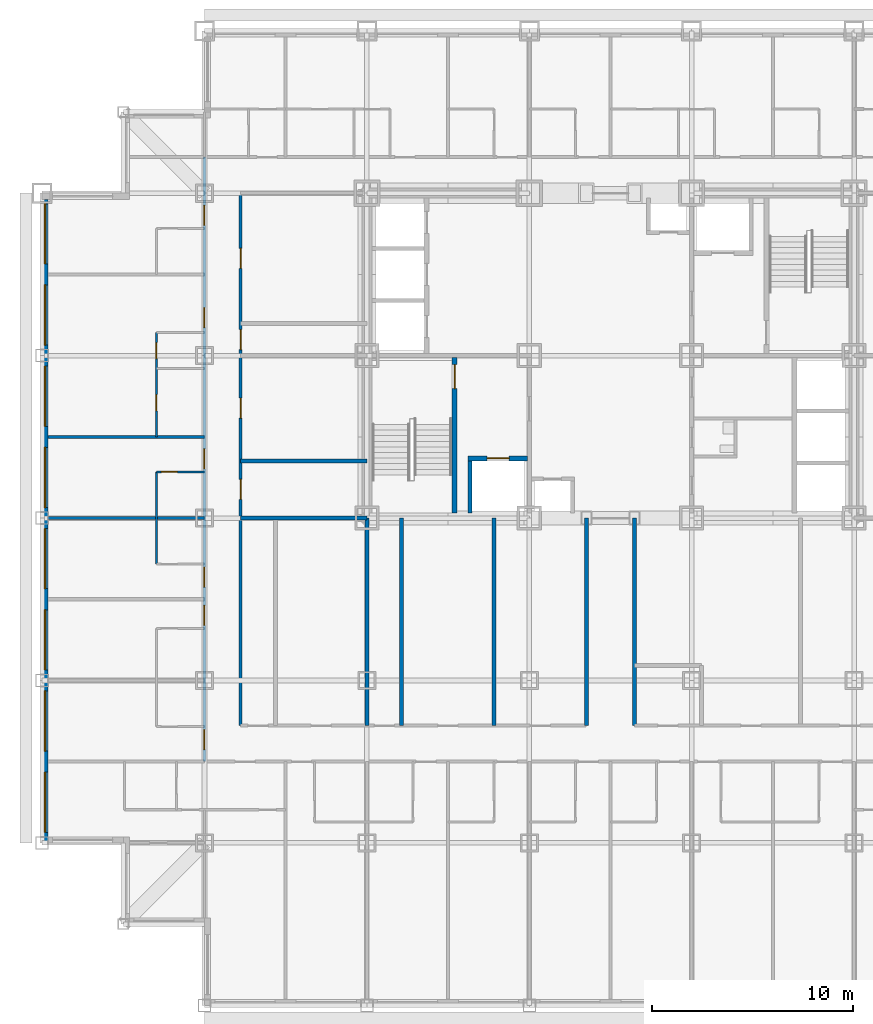
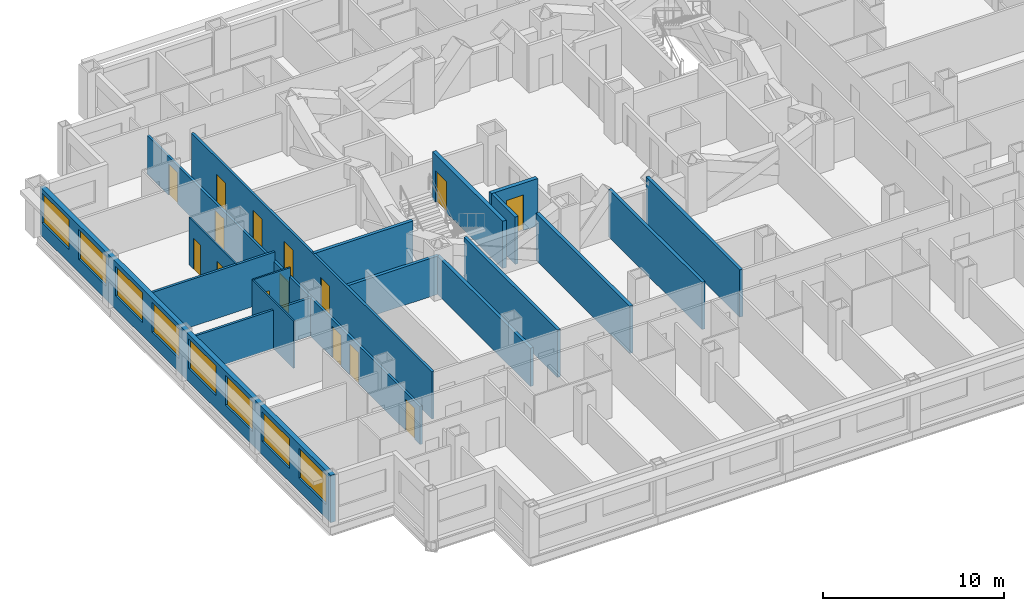
# One storey, part 5 of 13: 18 walls, 15 doors, 8 windows, 23 openings.
"""IFC4 building model written with IfcOpenShell, lengths in metres."""

from ifc_helpers import new_model, si_unit, direction, frame, frame_2d, origin, place, context, subcontext, project, spatial, rectangle, extrude, material, layer, layer_set, type_object, element, fill, save


model = new_model("IFC4")

# Units and contexts
model_context = context("Model", 3, precision=1e-05, world=origin(), true_north=direction((0.0, 1.0)))
body_context = subcontext(model_context, "Body", "Model", "MODEL_VIEW")
ifc_project = project(units=[si_unit("LENGTHUNIT", "METRE"), si_unit("AREAUNIT", "SQUARE_METRE"), si_unit("VOLUMEUNIT", "CUBIC_METRE"), si_unit("PLANEANGLEUNIT", "RADIAN"), si_unit("MASSUNIT", "GRAM", prefix="KILO")], contexts=[model_context])

# Site, building, storey
site_placement = place(None, origin())
site = spatial("IfcSite", under=ifc_project, at=site_placement, CompositionType="ELEMENT")
building_placement = place(site_placement, origin())
building = spatial("IfcBuilding", under=site, at=building_placement, Name="Kopane Lantern Tower", CompositionType="ELEMENT")
storey_placement = place(building_placement, frame((0.0, 0.0, 63.60009765625)))
storey = spatial("IfcBuildingStorey", under=building, at=storey_placement, Name="L15", CompositionType="ELEMENT", Elevation=63.60009765625)

# Wall
ifc_material_1 = material(Name="Moisture-resistant board on steel studs", Category="steel")
ifc_layer_1 = layer(ifc_material_1, 0.10009765625)
ifc_layer_set_1 = layer_set([ifc_layer_1], Name="BATHROOM WALL 100")
wall_type_1 = type_object("IfcWallType", Name="BATHROOM WALL 100", PredefinedType="PARTITIONING", material=ifc_layer_set_1)
wall_1_placement = place(storey_placement, frame((5.699951171875, 22.0, 0.0), z_axis=(0.0, 0.0, 1.0), x_axis=(0.0, 1.0, 0.0)))
element("IfcWall", 1, at=wall_1_placement, inside=storey, type_object=wall_type_1, Name="Bathroom Wall 100 L15", PredefinedType="PARTITIONING", context=body_context, shape_type="SweptSolid", body=[
    extrude(rectangle(XDim=4.60009765625, YDim=0.10009765625, at=frame_2d((2.300048828125, 0.0))), origin(), (0.0, 0.0, 1.0), 3.18994140625),
])

# Wall, opening, door
wall_2_placement = place(storey_placement, frame((8.10009765625, 26.60009765625, 0.0), z_axis=(0.0, 0.0, 1.0), x_axis=(-1.0, 0.0, 0.0)))
wall_2 = element("IfcWall", 2, at=wall_2_placement, inside=storey, type_object=wall_type_1, Name="Bathroom Wall 100 L15", PredefinedType="PARTITIONING", context=body_context, shape_type="SweptSolid", body=[
    extrude(rectangle(XDim=2.400146484375, YDim=0.10009765625, at=frame_2d((1.2001953125, 0.0))), origin(), (0.0, 0.0, 1.0), 3.18994140625),
])
opening_1_placement = place(wall_2_placement, frame((1.35009765625, 0.0, 0.0)))
opening_1 = element("IfcOpeningElement", 3, at=opening_1_placement, cuts=wall_2, Name="Opening L15-047", PredefinedType="OPENING", context=body_context, shape_type="SweptSolid", body=[
    extrude(rectangle(XDim=0.800048828125, YDim=2.10009765625, at=frame_2d((0.39990234375, 1.050048828125))), frame((0.0, 0.06005859375, 0.0), z_axis=(0.0, -1.0, 0.0), x_axis=(1.0, 0.0, 0.0)), (0.0, 0.0, 1.0), 0.1201171875),
])
ifc_material_2 = material(Name="Timber door set", Category="wood")
door_type_1 = type_object("IfcDoorType", Name="DOOR D2 800x2100", OperationType="SINGLE_SWING_LEFT", PredefinedType="DOOR", material=ifc_material_2)
door_1_placement = place(opening_1_placement, origin())
door_1 = element("IfcDoor", 4, at=door_1_placement, inside=storey, type_object=door_type_1, Name="Door L15-047", OperationType="SINGLE_SWING_RIGHT", OverallHeight=2.10009765625, OverallWidth=0.800048828125, PredefinedType="DOOR", context=body_context, shape_type="SweptSolid", body=[
    extrude(rectangle(XDim=0.800048828125, YDim=2.10009765625, at=frame_2d((0.39990234375, 1.050048828125))), frame((0.0, 0.02490234375, 0.0), z_axis=(0.0, -1.0, 0.0), x_axis=(1.0, 0.0, 0.0)), (0.0, 0.0, 1.0), 0.050048828125),
])
fill(opening_1, door_1)

# Wall, openings, doors
wall_3_placement = place(storey_placement, frame((5.699951171875, 28.35009765625, 0.0), z_axis=(0.0, 0.0, 1.0), x_axis=(0.0, 1.0, 0.0)))
wall_3 = element("IfcWall", 5, at=wall_3_placement, inside=storey, type_object=wall_type_1, Name="Bathroom Wall 100 L15", PredefinedType="PARTITIONING", context=body_context, shape_type="SweptSolid", body=[
    extrude(rectangle(XDim=5.199951171875, YDim=0.10009765625, at=frame_2d((2.60009765625, 0.0))), origin(), (0.0, 0.0, 1.0), 3.18994140625),
])
opening_2_placement = place(wall_3_placement, frame((1.300048828125, 0.0, 0.0)))
opening_2 = element("IfcOpeningElement", 6, at=opening_2_placement, cuts=wall_3, Name="Opening L15-049", PredefinedType="OPENING", context=body_context, shape_type="SweptSolid", body=[
    extrude(rectangle(XDim=0.800048828125, YDim=2.10009765625, at=frame_2d((0.39990234375, 1.050048828125))), frame((0.0, 0.06005859375, 0.0), z_axis=(0.0, -1.0, 0.0), x_axis=(1.0, 0.0, 0.0)), (0.0, 0.0, 1.0), 0.1201171875),
])
opening_3_placement = place(wall_3_placement, frame((3.89990234375, 0.0, 0.0)))
opening_3 = element("IfcOpeningElement", 7, at=opening_3_placement, cuts=wall_3, Name="Opening L15-050", PredefinedType="OPENING", context=body_context, shape_type="SweptSolid", body=[
    extrude(rectangle(XDim=0.800048828125, YDim=2.10009765625, at=frame_2d((0.39990234375, 1.050048828125))), frame((0.0, 0.06005859375, 0.0), z_axis=(0.0, -1.0, 0.0), x_axis=(1.0, 0.0, 0.0)), (0.0, 0.0, 1.0), 0.1201171875),
])
door_2_placement = place(opening_2_placement, origin())
door_2 = element("IfcDoor", 8, at=door_2_placement, inside=storey, type_object=door_type_1, Name="Door L15-049", OperationType="SINGLE_SWING_LEFT", OverallHeight=2.10009765625, OverallWidth=0.800048828125, PredefinedType="DOOR", context=body_context, shape_type="SweptSolid", body=[
    extrude(rectangle(XDim=0.800048828125, YDim=2.10009765625, at=frame_2d((0.39990234375, 1.050048828125))), frame((0.0, 0.02490234375, 0.0), z_axis=(0.0, -1.0, 0.0), x_axis=(1.0, 0.0, 0.0)), (0.0, 0.0, 1.0), 0.050048828125),
])
fill(opening_2, door_2)
door_3_placement = place(opening_3_placement, origin())
door_3 = element("IfcDoor", 9, at=door_3_placement, inside=storey, type_object=door_type_1, Name="Door L15-050", OperationType="SINGLE_SWING_LEFT", OverallHeight=2.10009765625, OverallWidth=0.800048828125, PredefinedType="DOOR", context=body_context, shape_type="SweptSolid", body=[
    extrude(rectangle(XDim=0.800048828125, YDim=2.10009765625, at=frame_2d((0.39990234375, 1.050048828125))), frame((0.0, 0.02490234375, 0.0), z_axis=(0.0, -1.0, 0.0), x_axis=(1.0, 0.0, 0.0)), (0.0, 0.0, 1.0), 0.050048828125),
])
fill(opening_3, door_3)

# Wall, opening, door
ifc_material_3 = material(Name="Gypsum shaft wall EI 120", Category="gypsum")
ifc_layer_2 = layer(ifc_material_3, 0.25)
ifc_layer_set_2 = layer_set([ifc_layer_2], Name="CORE SHAFT WALL 250 EI 120")
wall_type_2 = type_object("IfcWallType", Name="CORE SHAFT WALL 250 EI 120", PredefinedType="SOLIDWALL", material=ifc_layer_set_2)
wall_4_placement = place(storey_placement, frame((20.574951171875, 24.550048828125, 0.0), z_axis=(0.0, 0.0, 1.0), x_axis=(0.0, 1.0, 0.0)))
wall_4 = element("IfcWall", 10, at=wall_4_placement, inside=storey, type_object=wall_type_2, Name="Core shaft wall L15 XST1", PredefinedType="SOLIDWALL", context=body_context, shape_type="SweptSolid", body=[
    extrude(rectangle(XDim=7.75, YDim=0.25, at=frame_2d((3.875, 0.0))), origin(), (0.0, 0.0, 1.0), 3.18994140625),
])
opening_4_placement = place(wall_4_placement, frame((6.199951171875, 0.0, 0.0)))
opening_4 = element("IfcOpeningElement", 11, at=opening_4_placement, cuts=wall_4, Name="Opening 15.SD1", PredefinedType="OPENING", context=body_context, shape_type="SweptSolid", body=[
    extrude(rectangle(XDim=1.199951171875, YDim=2.10009765625, at=frame_2d((0.60009765625, 1.050048828125))), frame((0.0, 0.135009765625, 0.0), z_axis=(0.0, -1.0, 0.0), x_axis=(1.0, 0.0, 0.0)), (0.0, 0.0, 1.0), 0.27001953125),
])
ifc_material_4 = material(Name="Steel door set", Category="steel")
door_type_2 = type_object("IfcDoorType", Name="STAIR DOOR 1200x2100 FD60S", OperationType="SINGLE_SWING_LEFT", PredefinedType="DOOR", material=ifc_material_4)
door_4_placement = place(opening_4_placement, origin())
door_4 = element("IfcDoor", 12, at=door_4_placement, inside=storey, type_object=door_type_2, Name="Stair door ST1 L15", OperationType="SINGLE_SWING_LEFT", OverallHeight=2.10009765625, OverallWidth=1.199951171875, PredefinedType="DOOR", context=body_context, shape_type="SweptSolid", body=[
    extrude(rectangle(XDim=1.199951171875, YDim=2.10009765625, at=frame_2d((0.60009765625, 1.050048828125))), frame((0.0, 0.02490234375, 0.0), z_axis=(0.0, -1.0, 0.0), x_axis=(1.0, 0.0, 0.0)), (0.0, 0.0, 1.0), 0.050048828125),
])
fill(opening_4, door_4)

wall_5_placement = place(storey_placement, frame((21.25, 27.27490234375, 0.0), z_axis=(0.0, 0.0, 1.0), x_axis=(1.0, 0.0, 0.0)))
wall_5 = element("IfcWall", 13, at=wall_5_placement, inside=storey, type_object=wall_type_2, Name="Core shaft wall L15 YLF1", PredefinedType="SOLIDWALL", context=body_context, shape_type="SweptSolid", body=[
    extrude(rectangle(XDim=2.949951171875, YDim=0.25, at=frame_2d((1.47509765625, 0.0))), origin(), (0.0, 0.0, 1.0), 3.18994140625),
])
opening_5_placement = place(wall_5_placement, frame((0.949951171875, 0.0, 0.0)))
opening_5 = element("IfcOpeningElement", 14, at=opening_5_placement, cuts=wall_5, Name="Opening 15.LD-LF1", PredefinedType="OPENING", context=body_context, shape_type="SweptSolid", body=[
    extrude(rectangle(XDim=1.10009765625, YDim=2.39990234375, at=frame_2d((0.550048828125, 1.199951171875))), frame((0.0, 0.135009765625, 0.0), z_axis=(0.0, -1.0, 0.0), x_axis=(1.0, 0.0, 0.0)), (0.0, 0.0, 1.0), 0.27001953125),
])
ifc_material_5 = material(Name="Steel door set", Category="steel")
door_type_3 = type_object("IfcDoorType", Name="LIFT LANDING DOOR 1100x2400 FD60", OperationType="DOUBLE_DOOR_SLIDING", PredefinedType="DOOR", material=ifc_material_5)
door_5_placement = place(opening_5_placement, origin())
door_5 = element("IfcDoor", 15, at=door_5_placement, inside=storey, type_object=door_type_3, Name="Landing door LF1 L15", OperationType="DOUBLE_DOOR_SLIDING", OverallHeight=2.39990234375, OverallWidth=1.10009765625, PredefinedType="DOOR", context=body_context, shape_type="SweptSolid", body=[
    extrude(rectangle(XDim=1.10009765625, YDim=2.39990234375, at=frame_2d((0.550048828125, 1.199951171875))), frame((0.0, 0.02490234375, 0.0), z_axis=(0.0, -1.0, 0.0), x_axis=(1.0, 0.0, 0.0)), (0.0, 0.0, 1.0), 0.050048828125),
])
fill(opening_5, door_5)

# Wall, openings, doors
ifc_material_6 = material(Name="Gypsum board on steel studs", Category="steel")
ifc_layer_3 = layer(ifc_material_6, 0.14990234375)
ifc_layer_set_3 = layer_set([ifc_layer_3], Name="CORRIDOR WALL 150 EI 60")
wall_type_3 = type_object("IfcWallType", Name="CORRIDOR WALL 150 EI 60", PredefinedType="PARTITIONING", material=ifc_layer_set_3)
wall_6_placement = place(storey_placement, frame((8.10009765625, 12.14990234375, 0.0), z_axis=(0.0, 0.0, 1.0), x_axis=(0.0, 1.0, 0.0)))
wall_6 = element("IfcWall", 16, at=wall_6_placement, inside=storey, type_object=wall_type_3, Name="Corridor Wall 150 Ei 60 L15", PredefinedType="PARTITIONING", context=body_context, shape_type="SweptSolid", body=[
    extrude(rectangle(XDim=30.150146484375, YDim=0.14990234375, at=frame_2d((15.0751953125, 0.0))), origin(), (0.0, 0.0, 1.0), 2.57763671875),
])
opening_6_placement = place(wall_6_placement, frame((0.60009765625, 0.0, 0.0)))
opening_6 = element("IfcOpeningElement", 17, at=opening_6_placement, cuts=wall_6, Name="Opening L15-042", PredefinedType="OPENING", context=body_context, shape_type="SweptSolid", body=[
    extrude(rectangle(XDim=1.0, YDim=2.10009765625, at=frame_2d((0.5, 1.050048828125))), frame((0.0, 0.0849609375, 0.0), z_axis=(0.0, -1.0, 0.0), x_axis=(1.0, 0.0, 0.0)), (0.0, 0.0, 1.0), 0.169921875),
])
opening_7_placement = place(wall_6_placement, frame((6.800048828125, 0.0, 0.0)))
opening_7 = element("IfcOpeningElement", 18, at=opening_7_placement, cuts=wall_6, Name="Opening L15-044", PredefinedType="OPENING", context=body_context, shape_type="SweptSolid", body=[
    extrude(rectangle(XDim=1.0, YDim=2.10009765625, at=frame_2d((0.5, 1.050048828125))), frame((0.0, 0.0849609375, 0.0), z_axis=(0.0, -1.0, 0.0), x_axis=(1.0, 0.0, 0.0)), (0.0, 0.0, 1.0), 0.169921875),
])
opening_8_placement = place(wall_6_placement, frame((8.699951171875, 0.0, 0.0)))
opening_8 = element("IfcOpeningElement", 19, at=opening_8_placement, cuts=wall_6, Name="Opening L15-046", PredefinedType="OPENING", context=body_context, shape_type="SweptSolid", body=[
    extrude(rectangle(XDim=1.0, YDim=2.10009765625, at=frame_2d((0.5, 1.050048828125))), frame((0.0, 0.0849609375, 0.0), z_axis=(0.0, -1.0, 0.0), x_axis=(1.0, 0.0, 0.0)), (0.0, 0.0, 1.0), 0.169921875),
])
opening_9_placement = place(wall_6_placement, frame((14.60009765625, 0.0, 0.0)))
opening_9 = element("IfcOpeningElement", 20, at=opening_9_placement, cuts=wall_6, Name="Opening L15-048", PredefinedType="OPENING", context=body_context, shape_type="SweptSolid", body=[
    extrude(rectangle(XDim=1.0, YDim=2.10009765625, at=frame_2d((0.5, 1.050048828125))), frame((0.0, 0.0849609375, 0.0), z_axis=(0.0, -1.0, 0.0), x_axis=(1.0, 0.0, 0.0)), (0.0, 0.0, 1.0), 0.169921875),
])
opening_10_placement = place(wall_6_placement, frame((21.64990234375, 0.0, 0.0)))
opening_10 = element("IfcOpeningElement", 21, at=opening_10_placement, cuts=wall_6, Name="Opening L15-051", PredefinedType="OPENING", context=body_context, shape_type="SweptSolid", body=[
    extrude(rectangle(XDim=1.0, YDim=2.10009765625, at=frame_2d((0.5, 1.050048828125))), frame((0.0, 0.0849609375, 0.0), z_axis=(0.0, -1.0, 0.0), x_axis=(1.0, 0.0, 0.0)), (0.0, 0.0, 1.0), 0.169921875),
])
opening_11_placement = place(wall_6_placement, frame((26.75, 0.0, 0.0)))
opening_11 = element("IfcOpeningElement", 22, at=opening_11_placement, cuts=wall_6, Name="Opening L15-053", PredefinedType="OPENING", context=body_context, shape_type="SweptSolid", body=[
    extrude(rectangle(XDim=1.0, YDim=2.10009765625, at=frame_2d((0.5, 1.050048828125))), frame((0.0, 0.0849609375, 0.0), z_axis=(0.0, -1.0, 0.0), x_axis=(1.0, 0.0, 0.0)), (0.0, 0.0, 1.0), 0.169921875),
])
ifc_material_7 = material(Name="Steel door set", Category="steel")
door_type_4 = type_object("IfcDoorType", Name="DOOR D1 1000x2100 FD30S", OperationType="SINGLE_SWING_LEFT", PredefinedType="DOOR", material=ifc_material_7)
door_6_placement = place(opening_6_placement, origin())
door_6 = element("IfcDoor", 23, at=door_6_placement, inside=storey, type_object=door_type_4, Name="Door L15-042", OperationType="SINGLE_SWING_RIGHT", OverallHeight=2.10009765625, OverallWidth=1.0, PredefinedType="DOOR", context=body_context, shape_type="SweptSolid", body=[
    extrude(rectangle(XDim=1.0, YDim=2.10009765625, at=frame_2d((0.5, 1.050048828125))), frame((0.0, 0.02490234375, 0.0), z_axis=(0.0, -1.0, 0.0), x_axis=(1.0, 0.0, 0.0)), (0.0, 0.0, 1.0), 0.050048828125),
])
fill(opening_6, door_6)
door_7_placement = place(opening_7_placement, origin())
door_7 = element("IfcDoor", 24, at=door_7_placement, inside=storey, type_object=door_type_4, Name="Door L15-044", OperationType="SINGLE_SWING_LEFT", OverallHeight=2.10009765625, OverallWidth=1.0, PredefinedType="DOOR", context=body_context, shape_type="SweptSolid", body=[
    extrude(rectangle(XDim=1.0, YDim=2.10009765625, at=frame_2d((0.5, 1.050048828125))), frame((0.0, 0.02490234375, 0.0), z_axis=(0.0, -1.0, 0.0), x_axis=(1.0, 0.0, 0.0)), (0.0, 0.0, 1.0), 0.050048828125),
])
fill(opening_7, door_7)
door_8_placement = place(opening_8_placement, origin())
door_8 = element("IfcDoor", 25, at=door_8_placement, inside=storey, type_object=door_type_4, Name="Door L15-046", OperationType="SINGLE_SWING_RIGHT", OverallHeight=2.10009765625, OverallWidth=1.0, PredefinedType="DOOR", context=body_context, shape_type="SweptSolid", body=[
    extrude(rectangle(XDim=1.0, YDim=2.10009765625, at=frame_2d((0.5, 1.050048828125))), frame((0.0, 0.02490234375, 0.0), z_axis=(0.0, -1.0, 0.0), x_axis=(1.0, 0.0, 0.0)), (0.0, 0.0, 1.0), 0.050048828125),
])
fill(opening_8, door_8)
door_9_placement = place(opening_9_placement, origin())
door_9 = element("IfcDoor", 26, at=door_9_placement, inside=storey, type_object=door_type_4, Name="Door L15-048", OperationType="SINGLE_SWING_LEFT", OverallHeight=2.10009765625, OverallWidth=1.0, PredefinedType="DOOR", context=body_context, shape_type="SweptSolid", body=[
    extrude(rectangle(XDim=1.0, YDim=2.10009765625, at=frame_2d((0.5, 1.050048828125))), frame((0.0, 0.02490234375, 0.0), z_axis=(0.0, -1.0, 0.0), x_axis=(1.0, 0.0, 0.0)), (0.0, 0.0, 1.0), 0.050048828125),
])
fill(opening_9, door_9)
door_10_placement = place(opening_10_placement, origin())
door_10 = element("IfcDoor", 27, at=door_10_placement, inside=storey, type_object=door_type_4, Name="Door L15-051", OperationType="SINGLE_SWING_LEFT", OverallHeight=2.10009765625, OverallWidth=1.0, PredefinedType="DOOR", context=body_context, shape_type="SweptSolid", body=[
    extrude(rectangle(XDim=1.0, YDim=2.10009765625, at=frame_2d((0.5, 1.050048828125))), frame((0.0, 0.02490234375, 0.0), z_axis=(0.0, -1.0, 0.0), x_axis=(1.0, 0.0, 0.0)), (0.0, 0.0, 1.0), 0.050048828125),
])
fill(opening_10, door_10)
door_11_placement = place(opening_11_placement, origin())
door_11 = element("IfcDoor", 28, at=door_11_placement, inside=storey, type_object=door_type_4, Name="Door L15-053", OperationType="SINGLE_SWING_LEFT", OverallHeight=2.10009765625, OverallWidth=1.0, PredefinedType="DOOR", context=body_context, shape_type="SweptSolid", body=[
    extrude(rectangle(XDim=1.0, YDim=2.10009765625, at=frame_2d((0.5, 1.050048828125))), frame((0.0, 0.02490234375, 0.0), z_axis=(0.0, -1.0, 0.0), x_axis=(1.0, 0.0, 0.0)), (0.0, 0.0, 1.0), 0.050048828125),
])
fill(opening_11, door_11)

wall_7_placement = place(storey_placement, frame((9.89990234375, 40.5, 0.0), z_axis=(0.0, 0.0, 1.0), x_axis=(0.0, -1.0, 0.0)))
wall_7 = element("IfcWall", 29, at=wall_7_placement, inside=storey, type_object=wall_type_3, Name="Corridor Wall 150 Ei 60 L15", PredefinedType="PARTITIONING", context=body_context, shape_type="SweptSolid", body=[
    extrude(rectangle(XDim=26.550048828125, YDim=0.14990234375, at=frame_2d((13.27490234375, 0.0))), origin(), (0.0, 0.0, 1.0), 3.18994140625),
])
opening_12_placement = place(wall_7_placement, frame((14.271484375, 0.0, 0.0)))
opening_12 = element("IfcOpeningElement", 30, at=opening_12_placement, cuts=wall_7, Name="Opening L15-001", PredefinedType="OPENING", context=body_context, shape_type="SweptSolid", body=[
    extrude(rectangle(XDim=1.0, YDim=2.10009765625, at=frame_2d((0.5, 1.050048828125))), frame((0.0, 0.0849609375, 0.0), z_axis=(0.0, -1.0, 0.0), x_axis=(1.0, 0.0, 0.0)), (0.0, 0.0, 1.0), 0.169921875),
])
opening_13_placement = place(wall_7_placement, frame((10.221435546875, 0.0, 0.0)))
opening_13 = element("IfcOpeningElement", 31, at=opening_13_placement, cuts=wall_7, Name="Opening L15-002", PredefinedType="OPENING", context=body_context, shape_type="SweptSolid", body=[
    extrude(rectangle(XDim=1.0, YDim=2.10009765625, at=frame_2d((0.5, 1.050048828125))), frame((0.0, 0.0849609375, 0.0), z_axis=(0.0, -1.0, 0.0), x_axis=(1.0, 0.0, 0.0)), (0.0, 0.0, 1.0), 0.169921875),
])
opening_14_placement = place(wall_7_placement, frame((6.800048828125, 0.0, 0.0)))
opening_14 = element("IfcOpeningElement", 32, at=opening_14_placement, cuts=wall_7, Name="Opening L15-003", PredefinedType="OPENING", context=body_context, shape_type="SweptSolid", body=[
    extrude(rectangle(XDim=1.0, YDim=2.10009765625, at=frame_2d((0.5, 1.050048828125))), frame((0.0, 0.0849609375, 0.0), z_axis=(0.0, -1.0, 0.0), x_axis=(1.0, 0.0, 0.0)), (0.0, 0.0, 1.0), 0.169921875),
])
opening_15_placement = place(wall_7_placement, frame((2.75, 0.0, 0.0)))
opening_15 = element("IfcOpeningElement", 33, at=opening_15_placement, cuts=wall_7, Name="Opening L15-004", PredefinedType="OPENING", context=body_context, shape_type="SweptSolid", body=[
    extrude(rectangle(XDim=1.0, YDim=2.10009765625, at=frame_2d((0.5, 1.050048828125))), frame((0.0, 0.0849609375, 0.0), z_axis=(0.0, -1.0, 0.0), x_axis=(1.0, 0.0, 0.0)), (0.0, 0.0, 1.0), 0.169921875),
])
ifc_material_8 = material(Name="Steel door set", Category="steel")
door_type_5 = type_object("IfcDoorType", Name="DOOR D5 1000x2100 FD60", OperationType="SINGLE_SWING_LEFT", PredefinedType="DOOR", material=ifc_material_8)
door_12_placement = place(opening_12_placement, origin())
door_12 = element("IfcDoor", 34, at=door_12_placement, inside=storey, type_object=door_type_5, Name="Door L15-001", OperationType="SINGLE_SWING_RIGHT", OverallHeight=2.10009765625, OverallWidth=1.0, PredefinedType="DOOR", context=body_context, shape_type="SweptSolid", body=[
    extrude(rectangle(XDim=1.0, YDim=2.10009765625, at=frame_2d((0.5, 1.050048828125))), frame((0.0, 0.02490234375, 0.0), z_axis=(0.0, -1.0, 0.0), x_axis=(1.0, 0.0, 0.0)), (0.0, 0.0, 1.0), 0.050048828125),
])
fill(opening_12, door_12)
door_13_placement = place(opening_13_placement, origin())
door_13 = element("IfcDoor", 35, at=door_13_placement, inside=storey, type_object=door_type_5, Name="Door L15-002", OperationType="SINGLE_SWING_LEFT", OverallHeight=2.10009765625, OverallWidth=1.0, PredefinedType="DOOR", context=body_context, shape_type="SweptSolid", body=[
    extrude(rectangle(XDim=1.0, YDim=2.10009765625, at=frame_2d((0.5, 1.050048828125))), frame((0.0, 0.02490234375, 0.0), z_axis=(0.0, -1.0, 0.0), x_axis=(1.0, 0.0, 0.0)), (0.0, 0.0, 1.0), 0.050048828125),
])
fill(opening_13, door_13)
door_14_placement = place(opening_14_placement, origin())
door_14 = element("IfcDoor", 36, at=door_14_placement, inside=storey, type_object=door_type_5, Name="Door L15-003", OperationType="SINGLE_SWING_RIGHT", OverallHeight=2.10009765625, OverallWidth=1.0, PredefinedType="DOOR", context=body_context, shape_type="SweptSolid", body=[
    extrude(rectangle(XDim=1.0, YDim=2.10009765625, at=frame_2d((0.5, 1.050048828125))), frame((0.0, 0.02490234375, 0.0), z_axis=(0.0, -1.0, 0.0), x_axis=(1.0, 0.0, 0.0)), (0.0, 0.0, 1.0), 0.050048828125),
])
fill(opening_14, door_14)
door_15_placement = place(opening_15_placement, origin())
door_15 = element("IfcDoor", 37, at=door_15_placement, inside=storey, type_object=door_type_5, Name="Door L15-004", OperationType="SINGLE_SWING_LEFT", OverallHeight=2.10009765625, OverallWidth=1.0, PredefinedType="DOOR", context=body_context, shape_type="SweptSolid", body=[
    extrude(rectangle(XDim=1.0, YDim=2.10009765625, at=frame_2d((0.5, 1.050048828125))), frame((0.0, 0.02490234375, 0.0), z_axis=(0.0, -1.0, 0.0), x_axis=(1.0, 0.0, 0.0)), (0.0, 0.0, 1.0), 0.050048828125),
])
fill(opening_15, door_15)

# Walls
ifc_material_9 = material(Name="Gypsum board on steel studs", Category="steel")
ifc_layer_4 = layer(ifc_material_9, 0.14990234375)
ifc_layer_set_4 = layer_set([ifc_layer_4], Name="DEMISING WALL 150 EI 60")
wall_type_4 = type_object("IfcWallType", Name="DEMISING WALL 150 EI 60", PredefinedType="PARTITIONING", material=ifc_layer_set_4)
wall_8_placement = place(storey_placement, frame((8.10009765625, 24.300048828125, 0.0), z_axis=(0.0, 0.0, 1.0), x_axis=(-1.0, 0.0, 0.0)))
element("IfcWall", 38, at=wall_8_placement, inside=storey, type_object=wall_type_4, Name="Demising Wall 150 Ei 60 L15", PredefinedType="PARTITIONING", context=body_context, shape_type="SweptSolid", body=[
    extrude(rectangle(XDim=7.800048828125, YDim=0.14990234375, at=frame_2d((3.89990234375, 0.0))), origin(), (0.0, 0.0, 1.0), 2.57763671875),
])
wall_9_placement = place(storey_placement, frame((8.10009765625, 28.35009765625, 0.0), z_axis=(0.0, 0.0, 1.0), x_axis=(-1.0, 0.0, 0.0)))
element("IfcWall", 39, at=wall_9_placement, inside=storey, type_object=wall_type_4, Name="Demising Wall 150 Ei 60 L15", PredefinedType="PARTITIONING", context=body_context, shape_type="SweptSolid", body=[
    extrude(rectangle(XDim=7.800048828125, YDim=0.14990234375, at=frame_2d((3.89990234375, 0.0))), origin(), (0.0, 0.0, 1.0), 3.18994140625),
])

# Wall, openings, windows
ifc_material_10 = material(Name="Terracotta rainscreen on light steel framing", Category="masonry")
ifc_layer_5 = layer(ifc_material_10, 0.300048828125)
ifc_layer_set_5 = layer_set([ifc_layer_5], Name="EXTERNAL WALL EW1 300 TERRACOTTA")
wall_type_5 = type_object("IfcWallType", Name="EXTERNAL WALL EW1 300 TERRACOTTA", PredefinedType="SOLIDWALL", material=ifc_layer_set_5)
wall_10_placement = place(storey_placement, frame((0.14990234375, 40.199951171875, 0.0), z_axis=(0.0, 0.0, 1.0), x_axis=(0.0, -1.0, 0.0)))
wall_10 = element("IfcWall", 40, at=wall_10_placement, inside=storey, type_object=wall_type_5, Name="External wall W L15", PredefinedType="SOLIDWALL", context=body_context, shape_type="SweptSolid", body=[
    extrude(rectangle(XDim=32.099853515625, YDim=0.300048828125, at=frame_2d((16.0498046875, 0.0))), origin(), (0.0, 0.0, 1.0), 3.18994140625),
])
opening_16_placement = place(wall_10_placement, frame((0.22509765625, 0.0, 0.89990234375)))
opening_16 = element("IfcOpeningElement", 41, at=opening_16_placement, cuts=wall_10, Name="Opening WR300200", PredefinedType="OPENING", context=body_context, shape_type="SweptSolid", body=[
    extrude(rectangle(XDim=3.0, YDim=2.0, at=frame_2d((1.5, 1.0))), frame((0.0, 0.159912109375, 0.0), z_axis=(0.0, -1.0, 0.0), x_axis=(1.0, 0.0, 0.0)), (0.0, 0.0, 1.0), 0.320068359375),
])
opening_17_placement = place(wall_10_placement, frame((4.27490234375, 0.0, 0.89990234375)))
opening_17 = element("IfcOpeningElement", 42, at=opening_17_placement, cuts=wall_10, Name="Opening WR300200", PredefinedType="OPENING", context=body_context, shape_type="SweptSolid", body=[
    extrude(rectangle(XDim=3.0, YDim=2.0, at=frame_2d((1.5, 1.0))), frame((0.0, 0.159912109375, 0.0), z_axis=(0.0, -1.0, 0.0), x_axis=(1.0, 0.0, 0.0)), (0.0, 0.0, 1.0), 0.320068359375),
])
opening_18_placement = place(wall_10_placement, frame((8.324951171875, 0.0, 0.89990234375)))
opening_18 = element("IfcOpeningElement", 43, at=opening_18_placement, cuts=wall_10, Name="Opening WR300200", PredefinedType="OPENING", context=body_context, shape_type="SweptSolid", body=[
    extrude(rectangle(XDim=3.0, YDim=2.0, at=frame_2d((1.5, 1.0))), frame((0.0, 0.159912109375, 0.0), z_axis=(0.0, -1.0, 0.0), x_axis=(1.0, 0.0, 0.0)), (0.0, 0.0, 1.0), 0.320068359375),
])
opening_19_placement = place(wall_10_placement, frame((12.375, 0.0, 0.89990234375)))
opening_19 = element("IfcOpeningElement", 44, at=opening_19_placement, cuts=wall_10, Name="Opening WR300200", PredefinedType="OPENING", context=body_context, shape_type="SweptSolid", body=[
    extrude(rectangle(XDim=3.0, YDim=2.0, at=frame_2d((1.5, 1.0))), frame((0.0, 0.159912109375, 0.0), z_axis=(0.0, -1.0, 0.0), x_axis=(1.0, 0.0, 0.0)), (0.0, 0.0, 1.0), 0.320068359375),
])
opening_20_placement = place(wall_10_placement, frame((16.425048828125, 0.0, 0.89990234375)))
opening_20 = element("IfcOpeningElement", 45, at=opening_20_placement, cuts=wall_10, Name="Opening WR300200", PredefinedType="OPENING", context=body_context, shape_type="SweptSolid", body=[
    extrude(rectangle(XDim=3.0, YDim=2.0, at=frame_2d((1.5, 1.0))), frame((0.0, 0.159912109375, 0.0), z_axis=(0.0, -1.0, 0.0), x_axis=(1.0, 0.0, 0.0)), (0.0, 0.0, 1.0), 0.320068359375),
])
opening_21_placement = place(wall_10_placement, frame((20.47509765625, 0.0, 0.89990234375)))
opening_21 = element("IfcOpeningElement", 46, at=opening_21_placement, cuts=wall_10, Name="Opening WR300200", PredefinedType="OPENING", context=body_context, shape_type="SweptSolid", body=[
    extrude(rectangle(XDim=3.0, YDim=2.0, at=frame_2d((1.5, 1.0))), frame((0.0, 0.159912109375, 0.0), z_axis=(0.0, -1.0, 0.0), x_axis=(1.0, 0.0, 0.0)), (0.0, 0.0, 1.0), 0.320068359375),
])
opening_22_placement = place(wall_10_placement, frame((24.52490234375, 0.0, 0.89990234375)))
opening_22 = element("IfcOpeningElement", 47, at=opening_22_placement, cuts=wall_10, Name="Opening WR300200", PredefinedType="OPENING", context=body_context, shape_type="SweptSolid", body=[
    extrude(rectangle(XDim=3.0, YDim=2.0, at=frame_2d((1.5, 1.0))), frame((0.0, 0.159912109375, 0.0), z_axis=(0.0, -1.0, 0.0), x_axis=(1.0, 0.0, 0.0)), (0.0, 0.0, 1.0), 0.320068359375),
])
opening_23_placement = place(wall_10_placement, frame((28.574951171875, 0.0, 0.89990234375)))
opening_23 = element("IfcOpeningElement", 48, at=opening_23_placement, cuts=wall_10, Name="Opening WR300200", PredefinedType="OPENING", context=body_context, shape_type="SweptSolid", body=[
    extrude(rectangle(XDim=3.0, YDim=2.0, at=frame_2d((1.5, 1.0))), frame((0.0, 0.159912109375, 0.0), z_axis=(0.0, -1.0, 0.0), x_axis=(1.0, 0.0, 0.0)), (0.0, 0.0, 1.0), 0.320068359375),
])
ifc_material_11 = material(Name="Aluminium and clear glass", Category="aluminium")
window_type = type_object("IfcWindowType", Name="RIBBON WINDOW WR300200 3000x2000", PartitioningType="SINGLE_PANEL", PredefinedType="WINDOW", material=ifc_material_11)
window_1_placement = place(opening_16_placement, origin())
window_1 = element("IfcWindow", 49, at=window_1_placement, inside=storey, type_object=window_type, Name="Window W L15", OverallHeight=2.0, OverallWidth=3.0, PartitioningType="SINGLE_PANEL", PredefinedType="WINDOW", context=body_context, shape_type="SweptSolid", body=[
    extrude(rectangle(XDim=3.0, YDim=2.0, at=frame_2d((1.5, 1.0))), frame((0.0, 0.030029296875, 0.0), z_axis=(0.0, -1.0, 0.0), x_axis=(1.0, 0.0, 0.0)), (0.0, 0.0, 1.0), 0.06005859375),
])
fill(opening_16, window_1)
window_2_placement = place(opening_17_placement, origin())
window_2 = element("IfcWindow", 50, at=window_2_placement, inside=storey, type_object=window_type, Name="Window W L15", OverallHeight=2.0, OverallWidth=3.0, PartitioningType="SINGLE_PANEL", PredefinedType="WINDOW", context=body_context, shape_type="SweptSolid", body=[
    extrude(rectangle(XDim=3.0, YDim=2.0, at=frame_2d((1.5, 1.0))), frame((0.0, 0.030029296875, 0.0), z_axis=(0.0, -1.0, 0.0), x_axis=(1.0, 0.0, 0.0)), (0.0, 0.0, 1.0), 0.06005859375),
])
fill(opening_17, window_2)
window_3_placement = place(opening_18_placement, origin())
window_3 = element("IfcWindow", 51, at=window_3_placement, inside=storey, type_object=window_type, Name="Window W L15", OverallHeight=2.0, OverallWidth=3.0, PartitioningType="SINGLE_PANEL", PredefinedType="WINDOW", context=body_context, shape_type="SweptSolid", body=[
    extrude(rectangle(XDim=3.0, YDim=2.0, at=frame_2d((1.5, 1.0))), frame((0.0, 0.030029296875, 0.0), z_axis=(0.0, -1.0, 0.0), x_axis=(1.0, 0.0, 0.0)), (0.0, 0.0, 1.0), 0.06005859375),
])
fill(opening_18, window_3)
window_4_placement = place(opening_19_placement, origin())
window_4 = element("IfcWindow", 52, at=window_4_placement, inside=storey, type_object=window_type, Name="Window W L15", OverallHeight=2.0, OverallWidth=3.0, PartitioningType="SINGLE_PANEL", PredefinedType="WINDOW", context=body_context, shape_type="SweptSolid", body=[
    extrude(rectangle(XDim=3.0, YDim=2.0, at=frame_2d((1.5, 1.0))), frame((0.0, 0.030029296875, 0.0), z_axis=(0.0, -1.0, 0.0), x_axis=(1.0, 0.0, 0.0)), (0.0, 0.0, 1.0), 0.06005859375),
])
fill(opening_19, window_4)
window_5_placement = place(opening_20_placement, origin())
window_5 = element("IfcWindow", 53, at=window_5_placement, inside=storey, type_object=window_type, Name="Window W L15", OverallHeight=2.0, OverallWidth=3.0, PartitioningType="SINGLE_PANEL", PredefinedType="WINDOW", context=body_context, shape_type="SweptSolid", body=[
    extrude(rectangle(XDim=3.0, YDim=2.0, at=frame_2d((1.5, 1.0))), frame((0.0, 0.030029296875, 0.0), z_axis=(0.0, -1.0, 0.0), x_axis=(1.0, 0.0, 0.0)), (0.0, 0.0, 1.0), 0.06005859375),
])
fill(opening_20, window_5)
window_6_placement = place(opening_21_placement, origin())
window_6 = element("IfcWindow", 54, at=window_6_placement, inside=storey, type_object=window_type, Name="Window W L15", OverallHeight=2.0, OverallWidth=3.0, PartitioningType="SINGLE_PANEL", PredefinedType="WINDOW", context=body_context, shape_type="SweptSolid", body=[
    extrude(rectangle(XDim=3.0, YDim=2.0, at=frame_2d((1.5, 1.0))), frame((0.0, 0.030029296875, 0.0), z_axis=(0.0, -1.0, 0.0), x_axis=(1.0, 0.0, 0.0)), (0.0, 0.0, 1.0), 0.06005859375),
])
fill(opening_21, window_6)
window_7_placement = place(opening_22_placement, origin())
window_7 = element("IfcWindow", 55, at=window_7_placement, inside=storey, type_object=window_type, Name="Window W L15", OverallHeight=2.0, OverallWidth=3.0, PartitioningType="SINGLE_PANEL", PredefinedType="WINDOW", context=body_context, shape_type="SweptSolid", body=[
    extrude(rectangle(XDim=3.0, YDim=2.0, at=frame_2d((1.5, 1.0))), frame((0.0, 0.030029296875, 0.0), z_axis=(0.0, -1.0, 0.0), x_axis=(1.0, 0.0, 0.0)), (0.0, 0.0, 1.0), 0.06005859375),
])
fill(opening_22, window_7)
window_8_placement = place(opening_23_placement, origin())
window_8 = element("IfcWindow", 56, at=window_8_placement, inside=storey, type_object=window_type, Name="Window W L15", OverallHeight=2.0, OverallWidth=3.0, PartitioningType="SINGLE_PANEL", PredefinedType="WINDOW", context=body_context, shape_type="SweptSolid", body=[
    extrude(rectangle(XDim=3.0, YDim=2.0, at=frame_2d((1.5, 1.0))), frame((0.0, 0.030029296875, 0.0), z_axis=(0.0, -1.0, 0.0), x_axis=(1.0, 0.0, 0.0)), (0.0, 0.0, 1.0), 0.06005859375),
])
fill(opening_23, window_8)

# Walls
ifc_material_12 = material(Name="Concrete masonry", Category="masonry")
ifc_layer_6 = layer(ifc_material_12, 0.199951171875)
ifc_layer_set_6 = layer_set([ifc_layer_6], Name="PLANT ROOM WALL 200 EI 120")
wall_type_6 = type_object("IfcWallType", Name="PLANT ROOM WALL 200 EI 120", PredefinedType="SOLIDWALL", material=ifc_layer_set_6)
wall_11_placement = place(storey_placement, frame((9.89990234375, 27.156982421875, 0.0), z_axis=(0.0, 0.0, 1.0), x_axis=(1.0, 0.0, 0.0)))
element("IfcWall", 57, at=wall_11_placement, inside=storey, type_object=wall_type_6, Name="Plant Room Wall 200 Ei 120 L15", PredefinedType="SOLIDWALL", context=body_context, shape_type="SweptSolid", body=[
    extrude(rectangle(XDim=6.300048828125, YDim=0.199951171875, at=frame_2d((3.14990234375, 0.0))), origin(), (0.0, 0.0, 1.0), 3.18994140625),
])
wall_12_placement = place(storey_placement, frame((16.199951171875, 13.949951171875, 0.0), z_axis=(0.0, 0.0, 1.0), x_axis=(0.0, 1.0, 0.0)))
element("IfcWall", 58, at=wall_12_placement, inside=storey, type_object=wall_type_6, Name="Plant Room Wall 200 Ei 120 L15", PredefinedType="SOLIDWALL", context=body_context, shape_type="SweptSolid", body=[
    extrude(rectangle(XDim=10.35009765625, YDim=0.199951171875, at=frame_2d((5.175048828125, 0.0))), origin(), (0.0, 0.0, 1.0), 2.57763671875),
])
for number, where, z_axis, x_axis, name in (
    (59, (17.939208984375, 13.949951171875, 0.0), (0.0, 0.0, 1.0), (0.0, 1.0, 0.0), "Plant Room Wall 200 Ei 120 L15"),
    (60, (22.544677734375, 13.949951171875, 0.0), (0.0, 0.0, 1.0), (0.0, 1.0, 0.0), "Plant Room Wall 200 Ei 120 L15"),
    (61, (27.14990234375, 13.949951171875, 0.0), (0.0, 0.0, 1.0), (0.0, 1.0, 0.0), "Plant Room Wall 200 Ei 120 L15"),
    (62, (29.550048828125, 13.949951171875, 0.0), (0.0, 0.0, 1.0), (0.0, 1.0, 0.0), "Plant Room Wall 200 Ei 120 L15"),
):
    element("IfcWall", number, at=place(storey_placement, frame(where, z_axis=z_axis, x_axis=x_axis)), inside=storey, type_object=wall_type_6, Name=name, PredefinedType="SOLIDWALL", context=body_context, shape_type="SweptSolid", body=[
        extrude(rectangle(XDim=10.35009765625, YDim=0.199951171875, at=frame_2d((5.175048828125, 0.0))), origin(), (0.0, 0.0, 1.0), 3.18994140625),
    ])
wall_13_placement = place(storey_placement, frame((9.89990234375, 24.300048828125, 0.0), z_axis=(0.0, 0.0, 1.0), x_axis=(1.0, 0.0, 0.0)))
element("IfcWall", 63, at=wall_13_placement, inside=storey, type_object=wall_type_6, Name="Plant Room Wall 200 Ei 120 L15", PredefinedType="SOLIDWALL", context=body_context, shape_type="SweptSolid", body=[
    extrude(rectangle(XDim=6.300048828125, YDim=0.199951171875, at=frame_2d((3.14990234375, 0.0))), origin(), (0.0, 0.0, 1.0), 2.57763671875),
])
ifc_material_13 = material(Name="Gypsum shaft wall EI 120", Category="gypsum")
ifc_layer_7 = layer(ifc_material_13, 0.199951171875)
ifc_layer_set_7 = layer_set([ifc_layer_7], Name="SHAFT WALL 200 EI 120")
wall_type_7 = type_object("IfcWallType", Name="SHAFT WALL 200 EI 120", PredefinedType="SOLIDWALL", material=ifc_layer_set_7)
wall_14_placement = place(storey_placement, frame((21.35009765625, 24.550048828125, 0.0), z_axis=(0.0, 0.0, 1.0), x_axis=(0.0, 1.0, 0.0)))
element("IfcWall", 64, at=wall_14_placement, inside=storey, type_object=wall_type_7, Name="Core shaft wall L15 XLF1", PredefinedType="SOLIDWALL", context=body_context, shape_type="SweptSolid", body=[
    extrude(rectangle(XDim=2.599853515625, YDim=0.199951171875, at=frame_2d((1.2998046875, 0.0))), origin(), (0.0, 0.0, 1.0), 3.18994140625),
])

save(model, "model.ifc")
